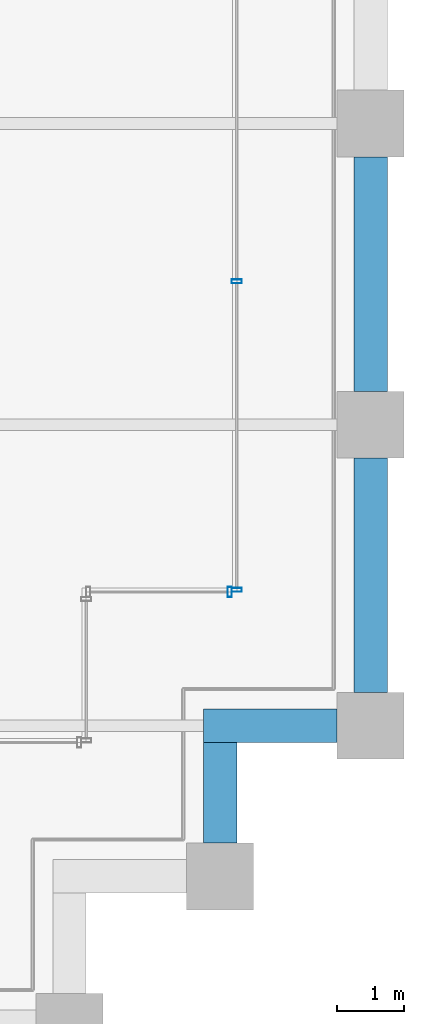
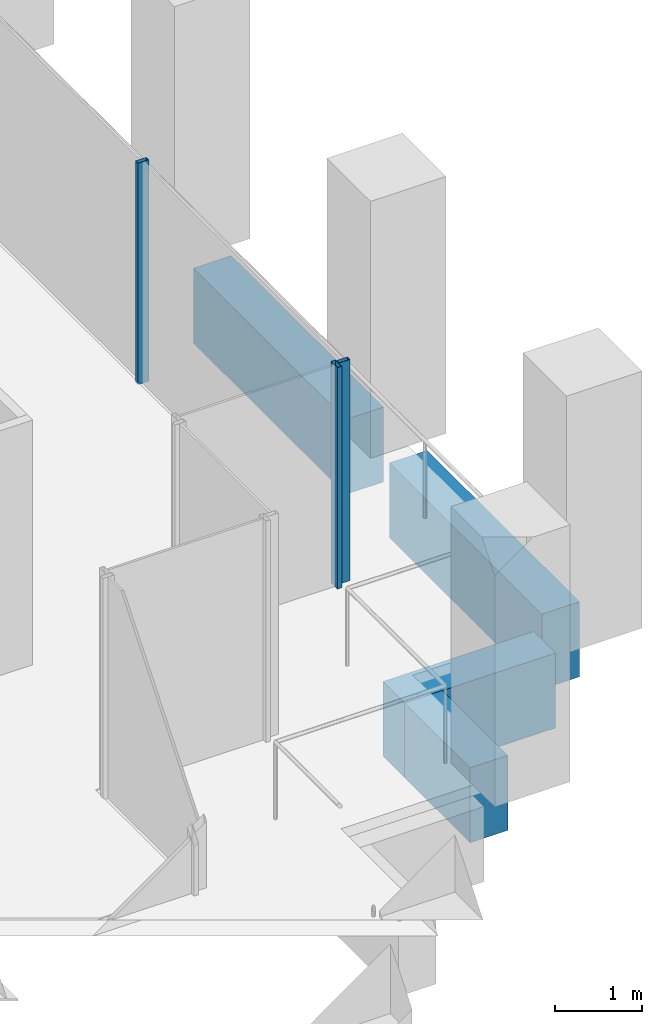
# One storey, part 37 of 46: 4 beams, 3 members, 2 elements without a shape of their own.
"""IFC4 building model written with IfcOpenShell, lengths in metres."""

from ifc_helpers import new_model, si_unit, direction, frame, origin, origin_2d, place, context, subcontext, project, spatial, rectangle, hollow_rectangle, extrude, material, material_profile, profile_set, type_object, element, aggregate, save


model = new_model("IFC4")

# Units and contexts
model_context = context("Model", 3, precision=1e-05, world=origin(), true_north=direction((0.0, 1.0)))
body_context = subcontext(model_context, "Body", "Model", "MODEL_VIEW")
ifc_project = project(units=[si_unit("LENGTHUNIT", "METRE"), si_unit("AREAUNIT", "SQUARE_METRE"), si_unit("VOLUMEUNIT", "CUBIC_METRE"), si_unit("PLANEANGLEUNIT", "RADIAN"), si_unit("MASSUNIT", "GRAM", prefix="KILO")], contexts=[model_context])

# Site, building, storey
site_placement = place(None, origin())
site = spatial("IfcSite", under=ifc_project, at=site_placement, CompositionType="ELEMENT")
building_placement = place(site_placement, origin())
building = spatial("IfcBuilding", under=site, at=building_placement, Name="Altepetl Exchange Towers", CompositionType="ELEMENT")
storey_placement = place(building_placement, frame((0.0, 0.0, 106.39990234375)))
storey = spatial("IfcBuildingStorey", under=building, at=storey_placement, Name="L26", CompositionType="ELEMENT", Elevation=106.39990234375)

# Curtain wall, member
ifc_material_1 = material(Name="Aluminium 6063-T6 glazing", Category="aluminium")
curtain_wall_type = type_object("IfcCurtainWallType", Name="Loggia glazing system", PredefinedType="NOTDEFINED", material=ifc_material_1)
curtain_wall_1_placement = place(storey_placement, origin())
curtain_wall_1 = element("IfcCurtainWall", 1, at=curtain_wall_1_placement, inside=storey, type_object=curtain_wall_type, Name="CW1 run", PredefinedType="NOTDEFINED")
ifc_material_2 = material(Name="Aluminium 6063-T6", Category="aluminium")
ifc_material_profile_1 = material_profile(ifc_material_2, hollow_rectangle(XDim=0.06005859375, YDim=0.14990234375, WallThickness=0.0029296875, at=origin_2d()), Name="Mullion 60x150 aluminium")
ifc_profile_set_1 = profile_set([ifc_material_profile_1], Name="Aluminium 6063-T6")
member_type = type_object("IfcMemberType", Name="Mullion 60x150 aluminium", PredefinedType="MULLION", material=ifc_profile_set_1)
member_1_placement = place(storey_placement, frame((123.89501953125, 33.5, 0.0)))
member_1 = element("IfcMember", 2, at=member_1_placement, type_object=member_type, Name="MU1 mullion", PredefinedType="MULLION", context=body_context, shape_type="SweptSolid", body=[
    extrude(hollow_rectangle(XDim=0.06005859375, YDim=0.14990234375, WallThickness=0.0029296875, at=origin_2d()), origin(), (0.0, 0.0, 1.0), 3.10009765625),
])
aggregate(curtain_wall_1, [member_1])

# Curtain wall, members
curtain_wall_2_placement = place(storey_placement, origin())
curtain_wall_2 = element("IfcCurtainWall", 3, at=curtain_wall_2_placement, inside=storey, type_object=curtain_wall_type, Name="CW1 run", PredefinedType="NOTDEFINED")
member_2_placement = place(storey_placement, frame((124.0, 33.530029296875, 0.0), z_axis=(0.0, 0.0, 1.0), x_axis=(0.0, 1.0, 0.0)))
member_2 = element("IfcMember", 4, at=member_2_placement, type_object=member_type, Name="MU1 mullion", PredefinedType="MULLION", context=body_context, shape_type="SweptSolid", body=[
    extrude(hollow_rectangle(XDim=0.06005859375, YDim=0.14990234375, WallThickness=0.0029296875, at=origin_2d()), origin(), (0.0, 0.0, 1.0), 3.10009765625),
])
member_3_placement = place(storey_placement, frame((124.0, 38.1416015625, 0.0), z_axis=(0.0, 0.0, 1.0), x_axis=(0.0, 1.0, 0.0)))
member_3 = element("IfcMember", 5, at=member_3_placement, type_object=member_type, Name="MU1 mullion", PredefinedType="MULLION", context=body_context, shape_type="SweptSolid", body=[
    extrude(hollow_rectangle(XDim=0.06005859375, YDim=0.14990234375, WallThickness=0.0029296875, at=origin_2d()), origin(), (0.0, 0.0, 1.0), 3.10009765625),
])
aggregate(curtain_wall_2, [member_2, member_3])

# Beams
ifc_material_3 = material(Name="Concrete C50/60 precast with cantera blanca facing", Category="concrete")
ifc_material_profile_2 = material_profile(ifc_material_3, rectangle(XDim=0.5, YDim=1.050048828125, at=origin_2d()), Name="500 x 1050")
ifc_profile_set_2 = profile_set([ifc_material_profile_2], Name="Concrete C50/60 precast with cantera blanca facing")
beam_type = type_object("IfcBeamType", Name="Spandrel beam 500x1050 cantera blanca", PredefinedType="SPANDREL", material=ifc_profile_set_2)
beam_1_placement = place(storey_placement, frame((123.75, 29.75, -0.6748046875), z_axis=(0.0, 1.0, 0.0), x_axis=(-1.0, 0.0, 0.0)))
element("IfcBeam", 6, at=beam_1_placement, inside=storey, type_object=beam_type, Name="sp:B:L26:007", PredefinedType="SPANDREL", context=body_context, shape_type="SweptSolid", body=[
    extrude(rectangle(XDim=0.5, YDim=1.050048828125, at=origin_2d()), origin(), (0.0, 0.0, 1.0), 1.5),
])
beam_2_placement = place(storey_placement, frame((123.5, 31.5, -0.6748046875), z_axis=(1.0, 0.0, 0.0), x_axis=(0.0, 1.0, 0.0)))
element("IfcBeam", 7, at=beam_2_placement, inside=storey, type_object=beam_type, Name="sp:B:L26:008", PredefinedType="SPANDREL", context=body_context, shape_type="SweptSolid", body=[
    extrude(rectangle(XDim=0.5, YDim=1.050048828125, at=origin_2d()), origin(), (0.0, 0.0, 1.0), 2.0),
])
for number, where, z_axis, x_axis, name in (
    (8, (126.0, 32.0, -0.6748046875), (0.0, 1.0, 0.0), (-1.0, 0.0, 0.0), "sp:B:L26:009"),
    (9, (126.0, 36.5, -0.6748046875), (0.0, 1.0, 0.0), (-1.0, 0.0, 0.0), "sp:B:L26:010"),
):
    element("IfcBeam", number, at=place(storey_placement, frame(where, z_axis=z_axis, x_axis=x_axis)), inside=storey, type_object=beam_type, Name=name, PredefinedType="SPANDREL", context=body_context, shape_type="SweptSolid", body=[
        extrude(rectangle(XDim=0.5, YDim=1.050048828125, at=origin_2d()), origin(), (0.0, 0.0, 1.0), 3.5),
    ])

save(model, "model.ifc")
